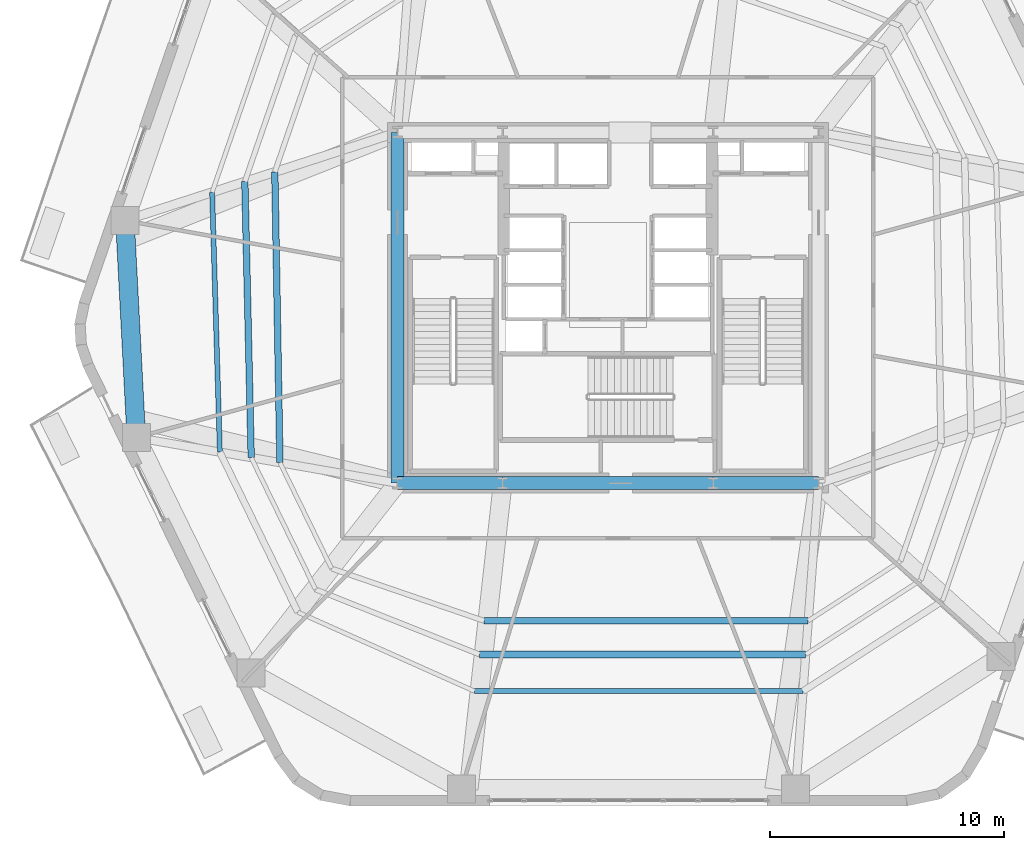
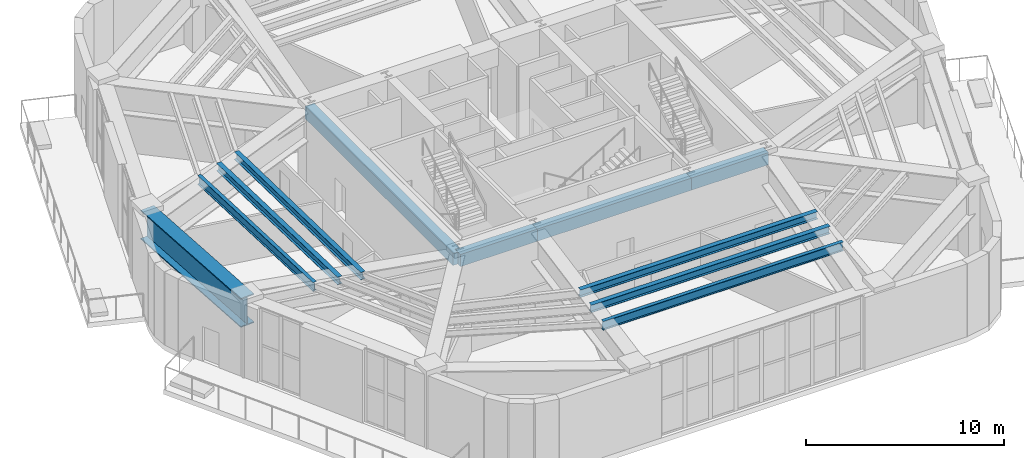
# One storey, part 5 of 22: 11 beams.
"""IFC4 building model written with IfcOpenShell, lengths in metres."""

from ifc_helpers import new_model, si_unit, direction, frame, origin, origin_2d, place, context, subcontext, project, spatial, rectangle, i_section, extrude, material, material_profile, profile_set, type_object, element, save


model = new_model("IFC4")

# Units and contexts
model_context = context("Model", 3, precision=1e-05, world=origin(), true_north=direction((0.0, 1.0)))
body_context = subcontext(model_context, "Body", "Model", "MODEL_VIEW")
ifc_project = project(units=[si_unit("LENGTHUNIT", "METRE"), si_unit("AREAUNIT", "SQUARE_METRE"), si_unit("VOLUMEUNIT", "CUBIC_METRE"), si_unit("PLANEANGLEUNIT", "RADIAN"), si_unit("MASSUNIT", "GRAM", prefix="KILO")], contexts=[model_context])

# Site, building, storey
site_placement = place(None, origin())
site = spatial("IfcSite", under=ifc_project, at=site_placement, CompositionType="ELEMENT")
building_placement = place(site_placement, origin())
building = spatial("IfcBuilding", under=site, at=building_placement, Name="Kilnhurst Terrace Hotel", CompositionType="ELEMENT")
storey_placement = place(building_placement, frame((0.0, 0.0, 139.5)))
storey = spatial("IfcBuildingStorey", under=building, at=storey_placement, Name="L34", CompositionType="ELEMENT", Elevation=139.5)

# Beams
ifc_material_1 = material(Name="Concrete C50/60", Category="concrete")
ifc_material_profile_1 = material_profile(ifc_material_1, rectangle(XDim=0.550048828125, YDim=0.75, at=origin_2d()), Name="RC550X750")
ifc_profile_set_1 = profile_set([ifc_material_profile_1], Name="Concrete C50/60")
beam_type_1 = type_object("IfcBeamType", Name="BM-SPN-550X750", PredefinedType="SPANDREL", material=ifc_profile_set_1)
beam_1_placement = place(storey_placement, frame((-9.0, -7.5, 4.125), z_axis=(1.0, 0.0, 0.0), x_axis=(0.0, 1.0, 0.0)))
element("IfcBeam", 1, at=beam_1_placement, inside=storey, type_object=beam_type_1, Name="L34 Core Tie Beam CC-SW to CC-SC1", PredefinedType="SPANDREL", context=body_context, shape_type="SweptSolid", body=[
    extrude(rectangle(XDim=0.550048828125, YDim=0.75, at=origin_2d()), origin(), (0.0, 0.0, 1.0), 4.5),
])
beam_2_placement = place(storey_placement, frame((-4.5, -7.5, 4.125), z_axis=(1.0, 0.0, 0.0), x_axis=(0.0, 1.0, 0.0)))
element("IfcBeam", 2, at=beam_2_placement, inside=storey, type_object=beam_type_1, Name="L34 Core Tie Beam CC-SC1 to CC-SC2", PredefinedType="SPANDREL", context=body_context, shape_type="SweptSolid", body=[
    extrude(rectangle(XDim=0.550048828125, YDim=0.75, at=origin_2d()), origin(), (0.0, 0.0, 1.0), 9.0),
])
beam_3_placement = place(storey_placement, frame((4.5, -7.5, 4.125), z_axis=(1.0, 0.0, 0.0), x_axis=(0.0, 1.0, 0.0)))
element("IfcBeam", 3, at=beam_3_placement, inside=storey, type_object=beam_type_1, Name="L34 Core Tie Beam CC-SC2 to CC-SE", PredefinedType="SPANDREL", context=body_context, shape_type="SweptSolid", body=[
    extrude(rectangle(XDim=0.550048828125, YDim=0.75, at=origin_2d()), origin(), (0.0, 0.0, 1.0), 4.5),
])
beam_4_placement = place(storey_placement, frame((-9.0, -7.5, 4.125), z_axis=(0.0, 1.0, 0.0), x_axis=(-1.0, 0.0, 0.0)))
element("IfcBeam", 4, at=beam_4_placement, inside=storey, type_object=beam_type_1, Name="L34 Core Tie Beam CC-SW to CC-NW", PredefinedType="SPANDREL", context=body_context, shape_type="SweptSolid", body=[
    extrude(rectangle(XDim=0.550048828125, YDim=0.75, at=origin_2d()), origin(), (0.0, 0.0, 1.0), 15.0),
])
ifc_material_2 = material(Name="Steel ASTM A992 Grade 50", Category="steel")
ifc_material_profile_2 = material_profile(ifc_material_2, i_section(OverallWidth=0.279296875, OverallDepth=0.462890625, WebThickness=0.0107421875, FlangeThickness=0.017333984375, at=origin_2d()), Name="W18X76")
ifc_profile_set_2 = profile_set([ifc_material_profile_2], Name="Steel ASTM A992 Grade 50")
beam_type_2 = type_object("IfcBeamType", Name="JST-STL-W18X76", PredefinedType="JOIST", material=ifc_profile_set_2)
beam_5_placement = place(storey_placement, frame((-5.295654296875, -13.385986328125, 4.26806640625), z_axis=(1.0, 0.0, 0.0), x_axis=(0.0, 1.0, 0.0)))
element("IfcBeam", 5, at=beam_5_placement, inside=storey, type_object=beam_type_2, Name="L34 Secondary Floor Steel Joist IN.1", PredefinedType="JOIST", context=body_context, shape_type="SweptSolid", body=[
    extrude(i_section(OverallWidth=0.279296875, OverallDepth=0.462890625, WebThickness=0.0107421875, FlangeThickness=0.017333984375, at=origin_2d()), origin(), (0.0, 0.0, 1.0), 13.858154296875),
])
beam_6_placement = place(storey_placement, frame((-14.242431640625, 5.803955078125, 4.26806640625), z_axis=(0.017601453796, -0.999845082412, 0.0), x_axis=(0.999845082412, 0.017601453796, 0.0)))
element("IfcBeam", 6, at=beam_6_placement, inside=storey, type_object=beam_type_2, Name="L34 Secondary Floor Steel Joist IN.10", PredefinedType="JOIST", context=body_context, shape_type="SweptSolid", body=[
    extrude(i_section(OverallWidth=0.279296875, OverallDepth=0.462890625, WebThickness=0.0107421875, FlangeThickness=0.017333984375, at=origin_2d()), origin(), (0.0, 0.0, 1.0), 12.427978515625),
])
beam_7_placement = place(storey_placement, frame((-5.489990234375, -14.82470703125, 4.26806640625), z_axis=(1.0, 0.0, 0.0), x_axis=(0.0, 1.0, 0.0)))
element("IfcBeam", 7, at=beam_7_placement, inside=storey, type_object=beam_type_2, Name="L34 Secondary Floor Steel Joist MID.1", PredefinedType="JOIST", context=body_context, shape_type="SweptSolid", body=[
    extrude(i_section(OverallWidth=0.279296875, OverallDepth=0.462890625, WebThickness=0.0107421875, FlangeThickness=0.017333984375, at=origin_2d()), origin(), (0.0, 0.0, 1.0), 13.94580078125),
])
beam_8_placement = place(storey_placement, frame((-15.52392578125, 5.389404296875, 4.26806640625), z_axis=(0.023069190107, -0.999733870822, 0.0), x_axis=(0.999733870822, 0.023069190107, 0.0)))
element("IfcBeam", 8, at=beam_8_placement, inside=storey, type_object=beam_type_2, Name="L34 Secondary Floor Steel Joist MID.10", PredefinedType="JOIST", context=body_context, shape_type="SweptSolid", body=[
    extrude(i_section(OverallWidth=0.279296875, OverallDepth=0.462890625, WebThickness=0.0107421875, FlangeThickness=0.017333984375, at=origin_2d()), origin(), (0.0, 0.0, 1.0), 11.800048828125),
])
ifc_material_profile_3 = material_profile(ifc_material_2, i_section(OverallWidth=0.2138671875, OverallDepth=0.549072265625, WebThickness=0.0146484375, FlangeThickness=0.023681640625, at=origin_2d()), Name="W21X93")
ifc_profile_set_3 = profile_set([ifc_material_profile_3], Name="Steel ASTM A992 Grade 50")
beam_type_3 = type_object("IfcBeamType", Name="JST-STL-W21X93", PredefinedType="JOIST", material=ifc_profile_set_3)
beam_9_placement = place(storey_placement, frame((-5.7021484375, -16.394287109375, 4.22509765625), z_axis=(1.0, 0.0, 0.0), x_axis=(0.0, 1.0, 0.0)))
element("IfcBeam", 9, at=beam_9_placement, inside=storey, type_object=beam_type_3, Name="L34 Secondary Floor Steel Joist OUT.1", PredefinedType="JOIST", context=body_context, shape_type="SweptSolid", body=[
    extrude(i_section(OverallWidth=0.2138671875, OverallDepth=0.549072265625, WebThickness=0.0146484375, FlangeThickness=0.023681640625, at=origin_2d()), origin(), (0.0, 0.0, 1.0), 14.041259765625),
])
beam_10_placement = place(storey_placement, frame((-16.922119140625, 4.93701171875, 4.22509765625), z_axis=(0.029739849895, -0.999557672837, 0.0), x_axis=(0.999557672837, 0.029739849895, 0.0)))
element("IfcBeam", 10, at=beam_10_placement, inside=storey, type_object=beam_type_3, Name="L34 Secondary Floor Steel Joist OUT.10", PredefinedType="JOIST", context=body_context, shape_type="SweptSolid", body=[
    extrude(i_section(OverallWidth=0.2138671875, OverallDepth=0.549072265625, WebThickness=0.0146484375, FlangeThickness=0.023681640625, at=origin_2d()), origin(), (0.0, 0.0, 1.0), 11.115234375),
])
ifc_material_3 = material(Name="Steel ASTM A572 Grade 50", Category="steel")
ifc_material_profile_4 = material_profile(ifc_material_3, i_section(OverallWidth=0.800048828125, OverallDepth=1.800048828125, WebThickness=0.0400390625, FlangeThickness=0.06494140625, at=origin_2d()), Name="PG1800X800")
ifc_profile_set_4 = profile_set([ifc_material_profile_4], Name="Steel ASTM A572 Grade 50")
beam_type_4 = type_object("IfcBeamType", Name="TG-STEP-1800", PredefinedType="USERDEFINED", material=ifc_profile_set_4)
beam_11_placement = place(storey_placement, frame((-20.64990234375, 3.73095703125, 3.60009765625), z_axis=(0.052281666706, -0.998632378469, 0.0), x_axis=(0.998632378469, 0.052281666706, 0.0)))
element("IfcBeam", 11, at=beam_11_placement, inside=storey, type_object=beam_type_4, Name="L34 Zone Step Perimeter Transfer Girder 10", ObjectType="GIRDER", PredefinedType="USERDEFINED", context=body_context, shape_type="SweptSolid", body=[
    extrude(i_section(OverallWidth=0.800048828125, OverallDepth=1.800048828125, WebThickness=0.0400390625, FlangeThickness=0.06494140625, at=origin_2d()), origin(), (0.0, 0.0, 1.0), 9.292724609375),
])

save(model, "model.ifc")
